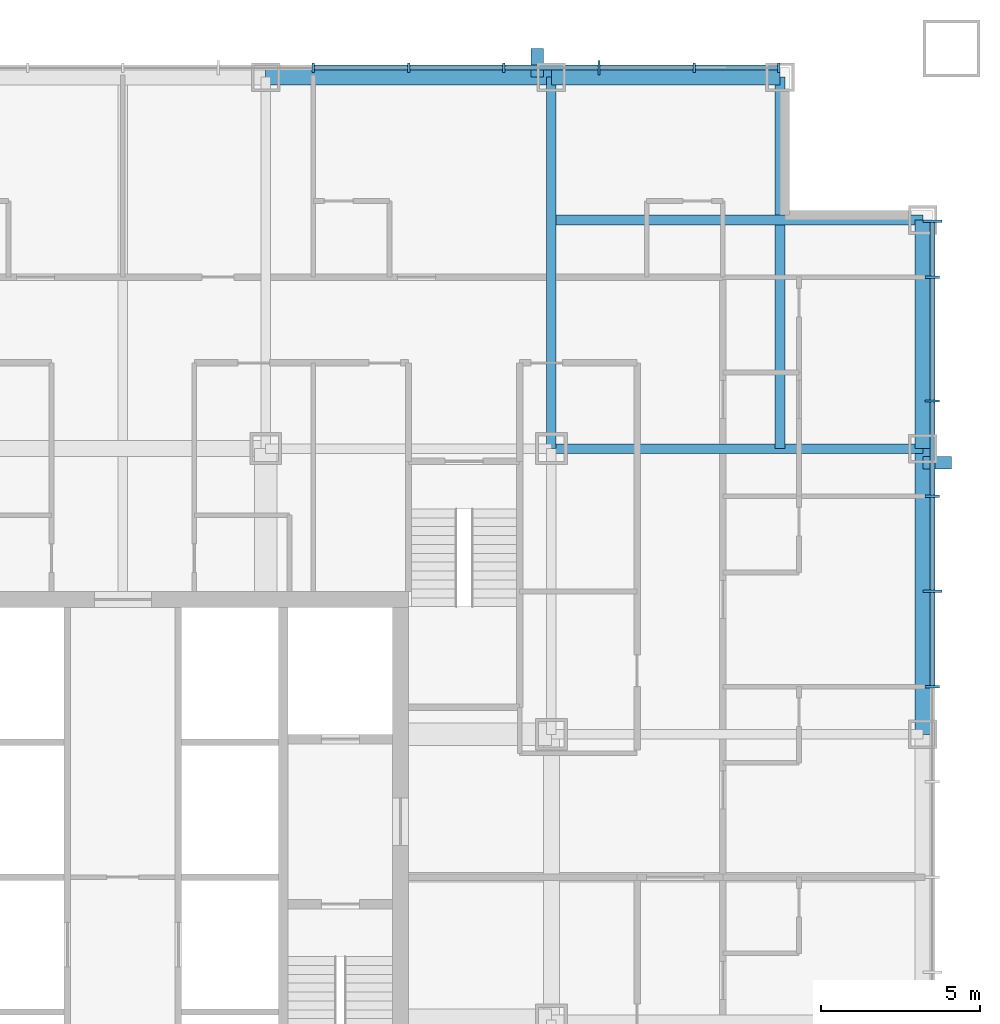
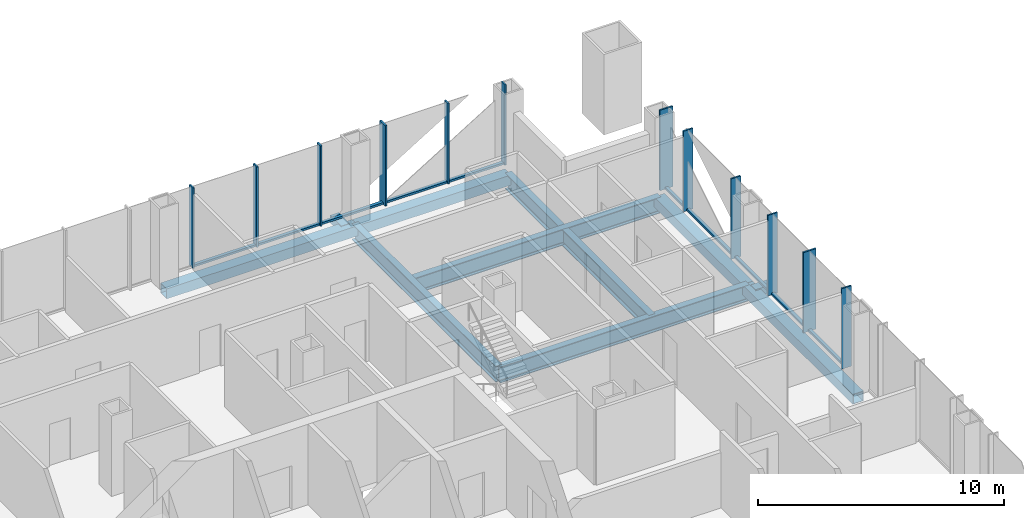
# One storey, part 5 of 17: 24 members, 8 beams, 2 elements without a shape of their own.
"""IFC4 building model written with IfcOpenShell, lengths in metres."""

from ifc_helpers import new_model, si_unit, direction, frame, origin, origin_2d, place, context, subcontext, project, spatial, rectangle, hollow_rectangle, i_section, extrude, material, layer, layer_set, material_profile, profile_set, type_object, element, aggregate, save


model = new_model("IFC4")

# Units and contexts
model_context = context("Model", 3, precision=1e-05, world=origin(), true_north=direction((0.0, 1.0)))
body_context = subcontext(model_context, "Body", "Model", "MODEL_VIEW")
ifc_project = project(units=[si_unit("LENGTHUNIT", "METRE"), si_unit("AREAUNIT", "SQUARE_METRE"), si_unit("VOLUMEUNIT", "CUBIC_METRE"), si_unit("PLANEANGLEUNIT", "RADIAN"), si_unit("MASSUNIT", "GRAM", prefix="KILO")], contexts=[model_context])

# Site, building, storey
site_placement = place(None, origin())
site = spatial("IfcSite", under=ifc_project, at=site_placement, CompositionType="ELEMENT")
building_placement = place(site_placement, origin())
building = spatial("IfcBuilding", under=site, at=building_placement, Name="Malebo Sky Hospital", CompositionType="ELEMENT")
storey_placement = place(building_placement, frame((0.0, 0.0, 55.0)))
storey = spatial("IfcBuildingStorey", under=building, at=storey_placement, Name="L12", CompositionType="ELEMENT", Elevation=55.0)

# Curtain wall, members
ifc_material_1 = material(Name="Anodised aluminium, natural silver", Category="aluminium")
ifc_layer_1 = layer(ifc_material_1, 0.25)
ifc_layer_set_1 = layer_set([ifc_layer_1], Name="WARD CURTAIN WALL NORTH AND SOUTH")
curtain_wall_type_1 = type_object("IfcCurtainWallType", Name="WARD CURTAIN WALL NORTH AND SOUTH", PredefinedType="NOTDEFINED", material=ifc_layer_set_1)
curtain_wall_1_placement = place(storey_placement, origin())
curtain_wall_1 = element("IfcCurtainWall", 1, at=curtain_wall_1_placement, inside=storey, type_object=curtain_wall_type_1, Name="NS curtain wall N", PredefinedType="NOTDEFINED")
ifc_material_profile_1 = material_profile(ifc_material_1, rectangle(XDim=0.14990234375, YDim=0.10009765625, at=origin_2d()), Name="ALUMINIUM TRANSOM 150x100")
ifc_profile_set_1 = profile_set([ifc_material_profile_1], Name="Anodised aluminium, natural silver")
member_type_1 = type_object("IfcMemberType", Name="ALUMINIUM TRANSOM 150x100", PredefinedType="USERDEFINED", material=ifc_profile_set_1)
member_1_placement = place(storey_placement, frame((66.03759765625, 87.5, 0.050048828125), z_axis=(1.0, 0.0, 0.0), x_axis=(0.0, 1.0, 0.0)))
member_1 = element("IfcMember", 2, at=member_1_placement, type_object=member_type_1, Name="Transom 10", ObjectType="TRANSOM", PredefinedType="USERDEFINED", context=body_context, shape_type="SweptSolid", body=[
    extrude(rectangle(XDim=0.14990234375, YDim=0.10009765625, at=origin_2d()), origin(), (0.0, 0.0, 1.0), 2.9248046875),
])
member_2_placement = place(storey_placement, frame((69.03759765625, 87.5, 0.050048828125), z_axis=(1.0, 0.0, 0.0), x_axis=(0.0, 1.0, 0.0)))
member_2 = element("IfcMember", 3, at=member_2_placement, type_object=member_type_1, Name="Transom 11", ObjectType="TRANSOM", PredefinedType="USERDEFINED", context=body_context, shape_type="SweptSolid", body=[
    extrude(rectangle(XDim=0.14990234375, YDim=0.10009765625, at=origin_2d()), origin(), (0.0, 0.0, 1.0), 2.9248046875),
])
member_3_placement = place(storey_placement, frame((72.03759765625, 87.5, 0.050048828125), z_axis=(1.0, 0.0, 0.0), x_axis=(0.0, 1.0, 0.0)))
member_3 = element("IfcMember", 4, at=member_3_placement, type_object=member_type_1, Name="Transom 12", ObjectType="TRANSOM", PredefinedType="USERDEFINED", context=body_context, shape_type="SweptSolid", body=[
    extrude(rectangle(XDim=0.14990234375, YDim=0.10009765625, at=origin_2d()), origin(), (0.0, 0.0, 1.0), 2.9248046875),
])
member_4_placement = place(storey_placement, frame((75.03759765625, 87.5, 0.050048828125), z_axis=(1.0, 0.0, 0.0), x_axis=(0.0, 1.0, 0.0)))
member_4 = element("IfcMember", 5, at=member_4_placement, type_object=member_type_1, Name="Transom 13", ObjectType="TRANSOM", PredefinedType="USERDEFINED", context=body_context, shape_type="SweptSolid", body=[
    extrude(rectangle(XDim=0.14990234375, YDim=0.10009765625, at=origin_2d()), origin(), (0.0, 0.0, 1.0), 2.9248046875),
])
member_5_placement = place(storey_placement, frame((78.03759765625, 87.5, 0.050048828125), z_axis=(1.0, 0.0, 0.0), x_axis=(0.0, 1.0, 0.0)))
member_5 = element("IfcMember", 6, at=member_5_placement, type_object=member_type_1, Name="Transom 14", ObjectType="TRANSOM", PredefinedType="USERDEFINED", context=body_context, shape_type="SweptSolid", body=[
    extrude(rectangle(XDim=0.14990234375, YDim=0.10009765625, at=origin_2d()), origin(), (0.0, 0.0, 1.0), 2.58740234375),
])

ifc_layer_2 = layer(ifc_material_1, 0.25)
ifc_layer_set_2 = layer_set([ifc_layer_2], Name="WARD CURTAIN WALL EAST AND WEST")
curtain_wall_type_2 = type_object("IfcCurtainWallType", Name="WARD CURTAIN WALL EAST AND WEST", PredefinedType="NOTDEFINED", material=ifc_layer_set_2)
curtain_wall_2_placement = place(storey_placement, origin())
curtain_wall_2 = element("IfcCurtainWall", 7, at=curtain_wall_2_placement, inside=storey, type_object=curtain_wall_type_2, Name="EW curtain wall E", PredefinedType="NOTDEFINED")
member_6_placement = place(storey_placement, frame((85.5, 82.625, 0.050048828125), z_axis=(0.0, -1.0, 0.0), x_axis=(1.0, 0.0, 0.0)))
member_6 = element("IfcMember", 8, at=member_6_placement, type_object=member_type_1, Name="Transom 1", ObjectType="TRANSOM", PredefinedType="USERDEFINED", context=body_context, shape_type="SweptSolid", body=[
    extrude(rectangle(XDim=0.14990234375, YDim=0.10009765625, at=origin_2d()), origin(), (0.0, 0.0, 1.0), 1.6875),
])
member_7_placement = place(storey_placement, frame((85.5, 80.862548828125, 0.050048828125), z_axis=(0.0, -1.0, 0.0), x_axis=(1.0, 0.0, 0.0)))
member_7 = element("IfcMember", 9, at=member_7_placement, type_object=member_type_1, Name="Transom 2", ObjectType="TRANSOM", PredefinedType="USERDEFINED", context=body_context, shape_type="SweptSolid", body=[
    extrude(rectangle(XDim=0.14990234375, YDim=0.10009765625, at=origin_2d()), origin(), (0.0, 0.0, 1.0), 3.824951171875),
])
member_8_placement = place(storey_placement, frame((85.5, 76.96240234375, 0.050048828125), z_axis=(0.0, -1.0, 0.0), x_axis=(1.0, 0.0, 0.0)))
member_8 = element("IfcMember", 10, at=member_8_placement, type_object=member_type_1, Name="Transom 3", ObjectType="TRANSOM", PredefinedType="USERDEFINED", context=body_context, shape_type="SweptSolid", body=[
    extrude(rectangle(XDim=0.14990234375, YDim=0.10009765625, at=origin_2d()), origin(), (0.0, 0.0, 1.0), 2.9248046875),
])
member_9_placement = place(storey_placement, frame((85.5, 73.96240234375, 0.050048828125), z_axis=(0.0, -1.0, 0.0), x_axis=(1.0, 0.0, 0.0)))
member_9 = element("IfcMember", 11, at=member_9_placement, type_object=member_type_1, Name="Transom 4", ObjectType="TRANSOM", PredefinedType="USERDEFINED", context=body_context, shape_type="SweptSolid", body=[
    extrude(rectangle(XDim=0.14990234375, YDim=0.10009765625, at=origin_2d()), origin(), (0.0, 0.0, 1.0), 2.9248046875),
])
member_10_placement = place(storey_placement, frame((85.5, 70.96240234375, 0.050048828125), z_axis=(0.0, -1.0, 0.0), x_axis=(1.0, 0.0, 0.0)))
member_10 = element("IfcMember", 12, at=member_10_placement, type_object=member_type_1, Name="Transom 5", ObjectType="TRANSOM", PredefinedType="USERDEFINED", context=body_context, shape_type="SweptSolid", body=[
    extrude(rectangle(XDim=0.14990234375, YDim=0.10009765625, at=origin_2d()), origin(), (0.0, 0.0, 1.0), 2.9248046875),
])

# Members
ifc_material_2 = material(Name="Steel S355", Category="steel")
ifc_material_profile_2 = material_profile(ifc_material_2, hollow_rectangle(XDim=0.39990234375, YDim=0.39990234375, WallThickness=0.02001953125, at=origin_2d()), Name="SHS 400x20")
ifc_profile_set_2 = profile_set([ifc_material_profile_2], Name="Steel S355")
member_type_2 = type_object("IfcMemberType", Name="BRACE STRUT SHS 400x20", PredefinedType="STRUT", material=ifc_profile_set_2)
for number, where, z_axis, x_axis, name in (
    (13, (73.050048828125, 88.10009765625, -0.39990234375), (0.0, -1.0, 0.0), (1.0, 0.0, 0.0), "Brace strut AN2 L12"),
    (14, (86.10009765625, 75.050048828125, -0.39990234375), (-1.0, 0.0, 0.0), (0.0, -1.0, 0.0), "Brace strut AE1 L12"),
):
    element("IfcMember", number, at=place(storey_placement, frame(where, z_axis=z_axis, x_axis=x_axis)), inside=storey, type_object=member_type_2, Name=name, PredefinedType="STRUT", context=body_context, shape_type="SweptSolid", body=[
        extrude(hollow_rectangle(XDim=0.39990234375, YDim=0.39990234375, WallThickness=0.02001953125, at=origin_2d()), origin(), (0.0, 0.0, 1.0), 0.900146484375),
    ])

# Member
ifc_material_profile_3 = material_profile(ifc_material_1, rectangle(XDim=0.074951171875, YDim=0.300048828125, at=origin_2d()), Name="CW1 ALUMINIUM FIN MULLION 75x300")
ifc_profile_set_3 = profile_set([ifc_material_profile_3], Name="Anodised aluminium, natural silver")
member_type_3 = type_object("IfcMemberType", Name="CW1 ALUMINIUM FIN MULLION 75x300", PredefinedType="MULLION", material=ifc_profile_set_3)
member_11_placement = place(storey_placement, frame((66.0, 87.5, 0.0), z_axis=(0.0, 0.0, 1.0), x_axis=(1.0, 0.0, 0.0)))
member_11 = element("IfcMember", 15, at=member_11_placement, type_object=member_type_3, Name="Fin mullion 10", PredefinedType="MULLION", context=body_context, shape_type="SweptSolid", body=[
    extrude(rectangle(XDim=0.074951171875, YDim=0.300048828125, at=origin_2d()), origin(), (0.0, 0.0, 1.0), 4.0),
])

member_12_placement = place(storey_placement, frame((69.0, 87.5, 0.0), z_axis=(0.0, 0.0, 1.0), x_axis=(1.0, 0.0, 0.0)))
member_12 = element("IfcMember", 16, at=member_12_placement, type_object=member_type_3, Name="Fin mullion 11", PredefinedType="MULLION", context=body_context, shape_type="SweptSolid", body=[
    extrude(rectangle(XDim=0.074951171875, YDim=0.300048828125, at=origin_2d()), origin(), (0.0, 0.0, 1.0), 4.0),
])

member_13_placement = place(storey_placement, frame((72.0, 87.5, 0.0), z_axis=(0.0, 0.0, 1.0), x_axis=(1.0, 0.0, 0.0)))
member_13 = element("IfcMember", 17, at=member_13_placement, type_object=member_type_3, Name="Fin mullion 12", PredefinedType="MULLION", context=body_context, shape_type="SweptSolid", body=[
    extrude(rectangle(XDim=0.074951171875, YDim=0.300048828125, at=origin_2d()), origin(), (0.0, 0.0, 1.0), 4.0),
])

member_14_placement = place(storey_placement, frame((78.0, 87.5, 0.0), z_axis=(0.0, 0.0, 1.0), x_axis=(1.0, 0.0, 0.0)))
member_14 = element("IfcMember", 18, at=member_14_placement, type_object=member_type_3, Name="Fin mullion 14", PredefinedType="MULLION", context=body_context, shape_type="SweptSolid", body=[
    extrude(rectangle(XDim=0.074951171875, YDim=0.300048828125, at=origin_2d()), origin(), (0.0, 0.0, 1.0), 4.0),
])

member_15_placement = place(storey_placement, frame((80.66259765625, 87.5, 0.0), z_axis=(0.0, 0.0, 1.0), x_axis=(1.0, 0.0, 0.0)))
member_15 = element("IfcMember", 19, at=member_15_placement, type_object=member_type_3, Name="Fin mullion 15", PredefinedType="MULLION", context=body_context, shape_type="SweptSolid", body=[
    extrude(rectangle(XDim=0.074951171875, YDim=0.300048828125, at=origin_2d()), origin(), (0.0, 0.0, 1.0), 4.0),
])

ifc_material_profile_4 = material_profile(ifc_material_1, rectangle(XDim=0.074951171875, YDim=0.449951171875, at=origin_2d()), Name="CW1 ALUMINIUM FIN MULLION 75x450")
ifc_profile_set_4 = profile_set([ifc_material_profile_4], Name="Anodised aluminium, natural silver")
member_type_4 = type_object("IfcMemberType", Name="CW1 ALUMINIUM FIN MULLION 75x450", PredefinedType="MULLION", material=ifc_profile_set_4)
member_16_placement = place(storey_placement, frame((75.0, 87.5, 0.0), z_axis=(0.0, 0.0, 1.0), x_axis=(1.0, 0.0, 0.0)))
member_16 = element("IfcMember", 20, at=member_16_placement, type_object=member_type_4, Name="Fin mullion 13", PredefinedType="MULLION", context=body_context, shape_type="SweptSolid", body=[
    extrude(rectangle(XDim=0.074951171875, YDim=0.449951171875, at=origin_2d()), origin(), (0.0, 0.0, 1.0), 4.0),
])

aggregate(curtain_wall_1, [member_11, member_12, member_13, member_16, member_14, member_15, member_1, member_2, member_3, member_4, member_5])

ifc_material_profile_5 = material_profile(ifc_material_1, rectangle(XDim=0.074951171875, YDim=0.449951171875, at=origin_2d()), Name="CW2 ALUMINIUM FIN MULLION 75x450")
ifc_profile_set_5 = profile_set([ifc_material_profile_5], Name="Anodised aluminium, natural silver")
member_type_5 = type_object("IfcMemberType", Name="CW2 ALUMINIUM FIN MULLION 75x450", PredefinedType="MULLION", material=ifc_profile_set_5)
member_17_placement = place(storey_placement, frame((85.5, 80.89990234375, 0.0), z_axis=(0.0, 0.0, 1.0), x_axis=(0.0, -1.0, 0.0)))
member_17 = element("IfcMember", 21, at=member_17_placement, type_object=member_type_5, Name="Fin mullion 2", PredefinedType="MULLION", context=body_context, shape_type="SweptSolid", body=[
    extrude(rectangle(XDim=0.074951171875, YDim=0.449951171875, at=origin_2d()), origin(), (0.0, 0.0, 1.0), 4.0),
])

member_18_placement = place(storey_placement, frame((85.5, 77.0, 0.0), z_axis=(0.0, 0.0, 1.0), x_axis=(0.0, -1.0, 0.0)))
member_18 = element("IfcMember", 22, at=member_18_placement, type_object=member_type_5, Name="Fin mullion 3", PredefinedType="MULLION", context=body_context, shape_type="SweptSolid", body=[
    extrude(rectangle(XDim=0.074951171875, YDim=0.449951171875, at=origin_2d()), origin(), (0.0, 0.0, 1.0), 4.0),
])

member_19_placement = place(storey_placement, frame((85.5, 74.0, 0.0), z_axis=(0.0, 0.0, 1.0), x_axis=(0.0, -1.0, 0.0)))
member_19 = element("IfcMember", 23, at=member_19_placement, type_object=member_type_5, Name="Fin mullion 4", PredefinedType="MULLION", context=body_context, shape_type="SweptSolid", body=[
    extrude(rectangle(XDim=0.074951171875, YDim=0.449951171875, at=origin_2d()), origin(), (0.0, 0.0, 1.0), 4.0),
])

member_20_placement = place(storey_placement, frame((85.5, 68.0, 0.0), z_axis=(0.0, 0.0, 1.0), x_axis=(0.0, -1.0, 0.0)))
member_20 = element("IfcMember", 24, at=member_20_placement, type_object=member_type_5, Name="Fin mullion 6", PredefinedType="MULLION", context=body_context, shape_type="SweptSolid", body=[
    extrude(rectangle(XDim=0.074951171875, YDim=0.449951171875, at=origin_2d()), origin(), (0.0, 0.0, 1.0), 4.0),
])

ifc_material_profile_6 = material_profile(ifc_material_1, rectangle(XDim=0.074951171875, YDim=0.60009765625, at=origin_2d()), Name="CW2 ALUMINIUM FIN MULLION 75x600")
ifc_profile_set_6 = profile_set([ifc_material_profile_6], Name="Anodised aluminium, natural silver")
member_type_6 = type_object("IfcMemberType", Name="CW2 ALUMINIUM FIN MULLION 75x600", PredefinedType="MULLION", material=ifc_profile_set_6)
member_21_placement = place(storey_placement, frame((85.5, 82.66259765625, 0.0), z_axis=(0.0, 0.0, 1.0), x_axis=(0.0, -1.0, 0.0)))
member_21 = element("IfcMember", 25, at=member_21_placement, type_object=member_type_6, Name="Fin mullion 1", PredefinedType="MULLION", context=body_context, shape_type="SweptSolid", body=[
    extrude(rectangle(XDim=0.074951171875, YDim=0.60009765625, at=origin_2d()), origin(), (0.0, 0.0, 1.0), 4.0),
])

member_22_placement = place(storey_placement, frame((85.5, 71.0, 0.0), z_axis=(0.0, 0.0, 1.0), x_axis=(0.0, -1.0, 0.0)))
member_22 = element("IfcMember", 26, at=member_22_placement, type_object=member_type_6, Name="Fin mullion 5", PredefinedType="MULLION", context=body_context, shape_type="SweptSolid", body=[
    extrude(rectangle(XDim=0.074951171875, YDim=0.60009765625, at=origin_2d()), origin(), (0.0, 0.0, 1.0), 4.0),
])

aggregate(curtain_wall_2, [member_21, member_17, member_18, member_19, member_22, member_20, member_6, member_7, member_8, member_9, member_10])

# Beams
ifc_material_3 = material(Name="Steel S460", Category="steel")
ifc_material_profile_7 = material_profile(ifc_material_3, hollow_rectangle(XDim=0.5, YDim=0.5, WallThickness=0.030029296875, at=origin_2d()), Name="BOX 500x500x30")
ifc_profile_set_7 = profile_set([ifc_material_profile_7], Name="Steel S460")
beam_type_1 = type_object("IfcBeamType", Name="EDGE BEAM BOX 500x500x30", PredefinedType="BEAM", material=ifc_profile_set_7)
beam_1_placement = place(storey_placement, frame((85.199951171875, 66.5, -0.5), z_axis=(0.0, 1.0, 0.0), x_axis=(-1.0, 0.0, 0.0)))
element("IfcBeam", 27, at=beam_1_placement, inside=storey, type_object=beam_type_1, Name="Beam 032 L12", PredefinedType="BEAM", context=body_context, shape_type="SweptSolid", body=[
    extrude(hollow_rectangle(XDim=0.5, YDim=0.5, WallThickness=0.030029296875, at=origin_2d()), origin(), (0.0, 0.0, 1.0), 9.0),
])
beam_2_placement = place(storey_placement, frame((85.199951171875, 75.5, -0.5), z_axis=(0.0, 1.0, 0.0), x_axis=(-1.0, 0.0, 0.0)))
element("IfcBeam", 28, at=beam_2_placement, inside=storey, type_object=beam_type_1, Name="Beam 033 L12", PredefinedType="BEAM", context=body_context, shape_type="SweptSolid", body=[
    extrude(hollow_rectangle(XDim=0.5, YDim=0.5, WallThickness=0.030029296875, at=origin_2d()), origin(), (0.0, 0.0, 1.0), 7.199951171875),
])
beam_3_placement = place(storey_placement, frame((64.5, 87.199951171875, -0.5), z_axis=(1.0, 0.0, 0.0), x_axis=(0.0, 1.0, 0.0)))
element("IfcBeam", 29, at=beam_3_placement, inside=storey, type_object=beam_type_1, Name="Beam 066 L12", PredefinedType="BEAM", context=body_context, shape_type="SweptSolid", body=[
    extrude(hollow_rectangle(XDim=0.5, YDim=0.5, WallThickness=0.030029296875, at=origin_2d()), origin(), (0.0, 0.0, 1.0), 9.0),
])
beam_4_placement = place(storey_placement, frame((73.5, 87.199951171875, -0.5), z_axis=(1.0, 0.0, 0.0), x_axis=(0.0, 1.0, 0.0)))
element("IfcBeam", 30, at=beam_4_placement, inside=storey, type_object=beam_type_1, Name="Beam 067 L12", PredefinedType="BEAM", context=body_context, shape_type="SweptSolid", body=[
    extrude(hollow_rectangle(XDim=0.5, YDim=0.5, WallThickness=0.030029296875, at=origin_2d()), origin(), (0.0, 0.0, 1.0), 7.199951171875),
])
ifc_material_profile_8 = material_profile(ifc_material_2, i_section(OverallWidth=0.300048828125, OverallDepth=0.800048828125, WebThickness=0.017578125, FlangeThickness=0.032958984375, FilletRadius=0.030029296875, at=origin_2d()), Name="HEB 800")
ifc_profile_set_8 = profile_set([ifc_material_profile_8], Name="Steel S355")
beam_type_2 = type_object("IfcBeamType", Name="FLOOR BEAM HEB 800", PredefinedType="BEAM", material=ifc_profile_set_8)
for number, where, z_axis, x_axis, name in (
    (31, (80.699951171875, 75.5, -0.64990234375), (0.0, 1.0, 0.0), (-1.0, 0.0, 0.0), "Beam 028 L12"),
    (32, (73.5, 82.699951171875, -0.64990234375), (1.0, 0.0, 0.0), (0.0, 1.0, 0.0), "Beam 062 L12"),
):
    element("IfcBeam", number, at=place(storey_placement, frame(where, z_axis=z_axis, x_axis=x_axis)), inside=storey, type_object=beam_type_2, Name=name, PredefinedType="BEAM", context=body_context, shape_type="SweptSolid", body=[
        extrude(i_section(OverallWidth=0.300048828125, OverallDepth=0.800048828125, WebThickness=0.017578125, FlangeThickness=0.032958984375, FilletRadius=0.030029296875, at=origin_2d()), origin(), (0.0, 0.0, 1.0), 11.699951171875),
    ])
ifc_material_profile_9 = material_profile(ifc_material_2, i_section(OverallWidth=0.300048828125, OverallDepth=0.800048828125, WebThickness=0.017578125, FlangeThickness=0.032958984375, FilletRadius=0.030029296875, at=origin_2d()), Name="HEB 800")
ifc_profile_set_9 = profile_set([ifc_material_profile_9], Name="Steel S355")
beam_type_3 = type_object("IfcBeamType", Name="FLOOR GIRDER HEB 800", PredefinedType="BEAM", material=ifc_profile_set_9)
for number, where, z_axis, x_axis, name in (
    (33, (73.5, 75.5, -0.64990234375), (0.0, 1.0, 0.0), (-1.0, 0.0, 0.0), "Beam 026 L12"),
    (34, (73.5, 75.5, -0.64990234375), (1.0, 0.0, 0.0), (0.0, 1.0, 0.0), "Beam 060 L12"),
):
    element("IfcBeam", number, at=place(storey_placement, frame(where, z_axis=z_axis, x_axis=x_axis)), inside=storey, type_object=beam_type_3, Name=name, PredefinedType="BEAM", context=body_context, shape_type="SweptSolid", body=[
        extrude(i_section(OverallWidth=0.300048828125, OverallDepth=0.800048828125, WebThickness=0.017578125, FlangeThickness=0.032958984375, FilletRadius=0.030029296875, at=origin_2d()), origin(), (0.0, 0.0, 1.0), 11.699951171875),
    ])

save(model, "model.ifc")
